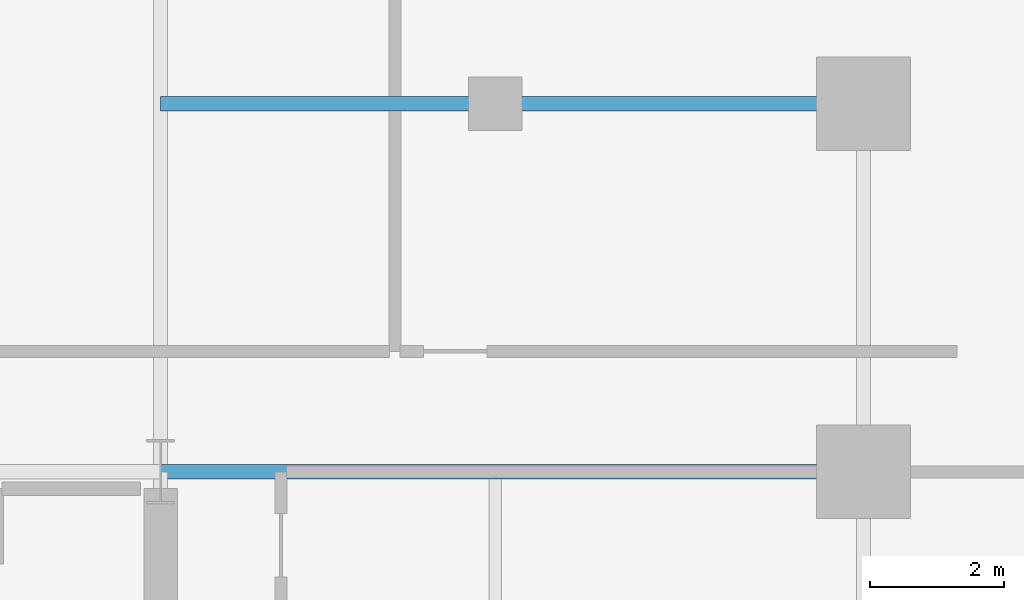
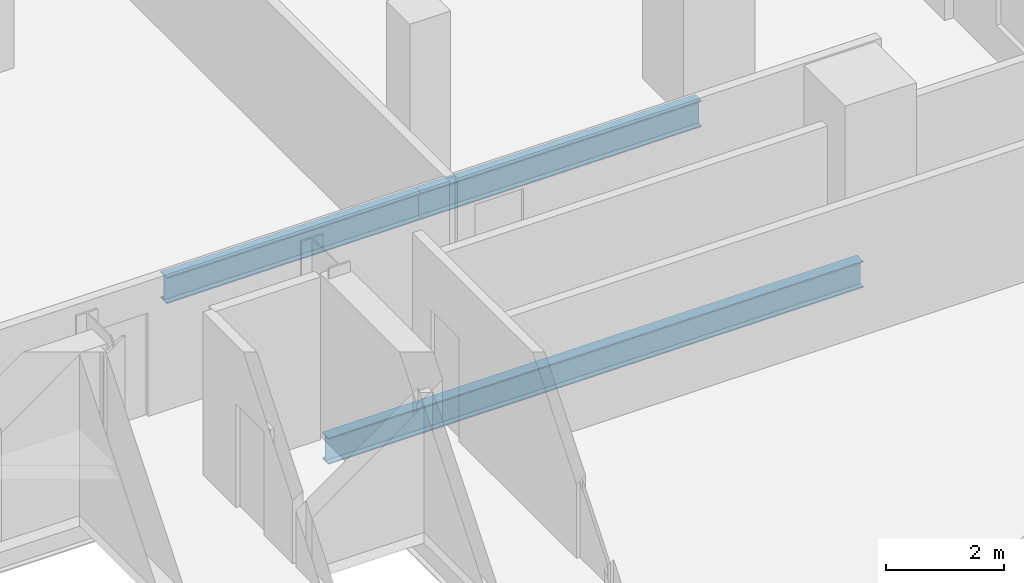
# One storey, part 14 of 21: 3 beams.
"""IFC4 building model written with IfcOpenShell, lengths in metres."""

from ifc_helpers import new_model, si_unit, direction, frame, origin, origin_2d, place, context, subcontext, project, spatial, i_section, extrude, material, material_profile, profile_set, type_object, element, save


model = new_model("IFC4")

# Units and contexts
model_context = context("Model", 3, precision=1e-05, world=origin(), true_north=direction((0.0, 1.0)))
body_context = subcontext(model_context, "Body", "Model", "MODEL_VIEW")
ifc_project = project(units=[si_unit("LENGTHUNIT", "METRE"), si_unit("AREAUNIT", "SQUARE_METRE"), si_unit("VOLUMEUNIT", "CUBIC_METRE"), si_unit("PLANEANGLEUNIT", "RADIAN"), si_unit("MASSUNIT", "GRAM", prefix="KILO")], contexts=[model_context])

# Site, building, storey
site_placement = place(None, origin())
site = spatial("IfcSite", under=ifc_project, at=site_placement, CompositionType="ELEMENT")
building_placement = place(site_placement, origin())
building = spatial("IfcBuilding", under=site, at=building_placement, Name="Barlavira Tower and Art Museum", CompositionType="ELEMENT")
storey_placement = place(building_placement, frame((0.0, 0.0, 79.199951171875)))
storey = spatial("IfcBuildingStorey", under=building, at=storey_placement, Name="L19", CompositionType="ELEMENT", Elevation=79.199951171875)

# Beams
ifc_material = material(Name="Steel S355", Category="steel")
ifc_material_profile = material_profile(ifc_material, i_section(OverallWidth=0.214111328125, OverallDepth=0.549072265625, WebThickness=0.0146484375, FlangeThickness=0.023681640625, at=origin_2d()), Name="W530x138.0")
ifc_profile_set = profile_set([ifc_material_profile], Name="Steel S355")
beam_type = type_object("IfcBeamType", Name="Zone 1 Primary Floor Girder W530x138 Steel S355", PredefinedType="BEAM", material=ifc_profile_set)
beam_1_placement = place(storey_placement, frame((6.5, 7.5, -0.494384765625), z_axis=(1.0, 0.0, 0.0), x_axis=(0.0, 1.0, 0.0)))
element("IfcBeam", 1, at=beam_1_placement, inside=storey, type_object=beam_type, Name="L19 Girder R-E2", PredefinedType="BEAM", context=body_context, shape_type="SweptSolid", body=[
    extrude(i_section(OverallWidth=0.214111328125, OverallDepth=0.549072265625, WebThickness=0.0146484375, FlangeThickness=0.023681640625, at=origin_2d()), origin(), (0.0, 0.0, 1.0), 10.5),
])
beam_2_placement = place(storey_placement, frame((6.5, 13.0, -0.494384765625), z_axis=(1.0, 0.0, 0.0), x_axis=(0.0, 1.0, 0.0)))
element("IfcBeam", 2, at=beam_2_placement, inside=storey, type_object=beam_type, Name="L19 Girder I-N3", PredefinedType="BEAM", context=body_context, shape_type="SweptSolid", body=[
    extrude(i_section(OverallWidth=0.214111328125, OverallDepth=0.549072265625, WebThickness=0.0146484375, FlangeThickness=0.023681640625, at=origin_2d()), origin(), (0.0, 0.0, 1.0), 5.0),
])
beam_3_placement = place(storey_placement, frame((11.5, 13.0, -0.494384765625), z_axis=(1.0, 0.0, 0.0), x_axis=(0.0, 1.0, 0.0)))
element("IfcBeam", 3, at=beam_3_placement, inside=storey, type_object=beam_type, Name="L19 Girder I-N4", PredefinedType="BEAM", context=body_context, shape_type="SweptSolid", body=[
    extrude(i_section(OverallWidth=0.214111328125, OverallDepth=0.549072265625, WebThickness=0.0146484375, FlangeThickness=0.023681640625, at=origin_2d()), origin(), (0.0, 0.0, 1.0), 5.5),
])

save(model, "model.ifc")
